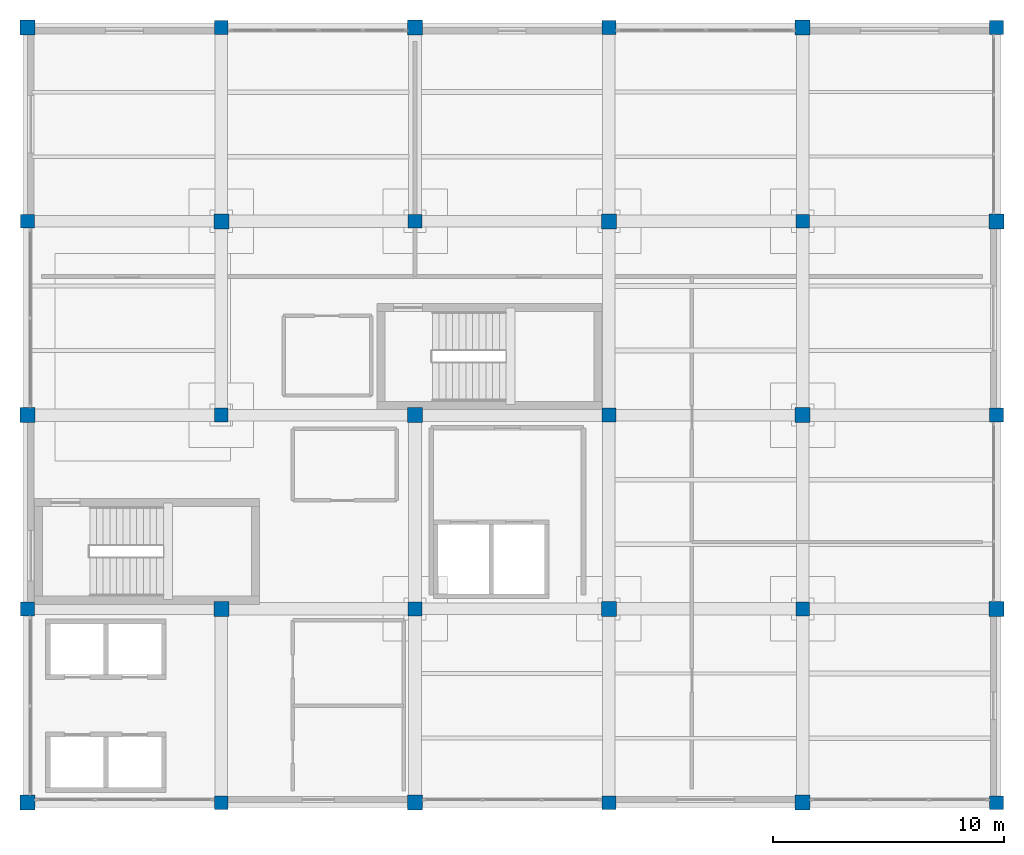
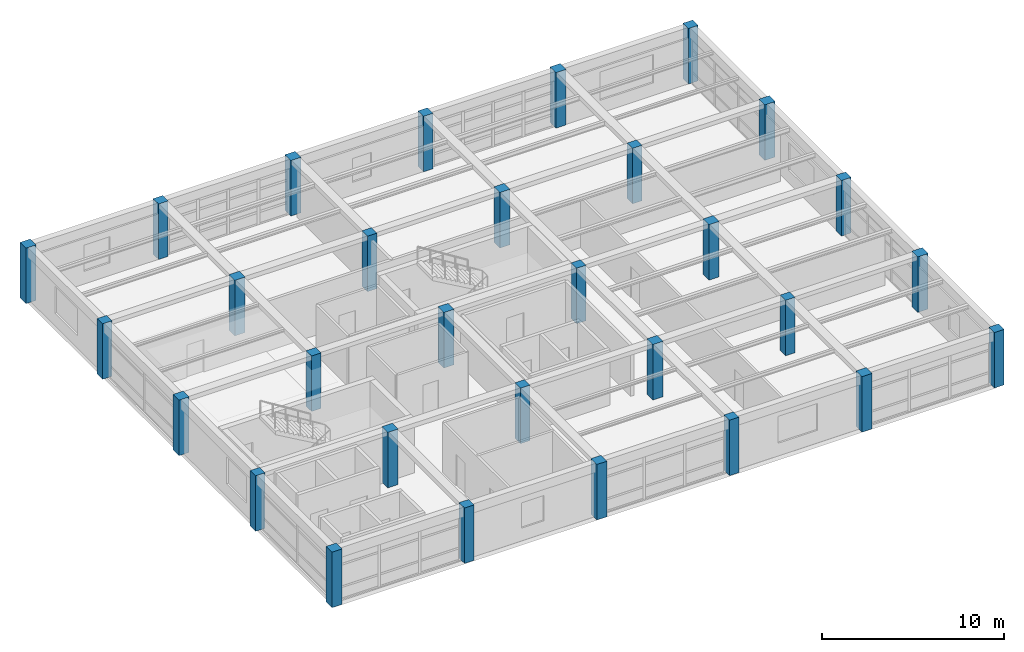
# One storey, part 1 of 25: 30 columns.
"""IFC4 building model written with IfcOpenShell, lengths in metres."""

from ifc_helpers import new_model, si_unit, direction, frame, origin, origin_2d, place, context, subcontext, project, spatial, rectangle, extrude, material, material_profile, profile_set, type_object, element, save


model = new_model("IFC4")

# Units and contexts
model_context = context("Model", 3, precision=1e-05, world=origin(), true_north=direction((0.0, 1.0)))
body_context = subcontext(model_context, "Body", "Model", "MODEL_VIEW")
ifc_project = project(units=[si_unit("LENGTHUNIT", "METRE"), si_unit("AREAUNIT", "SQUARE_METRE"), si_unit("VOLUMEUNIT", "CUBIC_METRE"), si_unit("PLANEANGLEUNIT", "RADIAN"), si_unit("MASSUNIT", "GRAM", prefix="KILO")], contexts=[model_context])

# Site, building, storey
site_placement = place(None, origin())
site = spatial("IfcSite", under=ifc_project, at=site_placement, CompositionType="ELEMENT")
building_placement = place(site_placement, origin())
building = spatial("IfcBuilding", under=site, at=building_placement, Name="Almacenes y Pasaje Nevantli", CompositionType="ELEMENT")
storey_placement = place(building_placement, frame((0.0, 0.0, 50.699951171875)))
storey = spatial("IfcBuildingStorey", under=building, at=storey_placement, Name="L12", CompositionType="ELEMENT", Elevation=50.699951171875)

# Columns
ifc_material_1 = material(Name="Concrete C45/55", Category="concrete")
ifc_material_profile_1 = material_profile(ifc_material_1, rectangle(XDim=0.60009765625, YDim=0.60009765625, at=origin_2d()), Name="RC-COL-600x600")
ifc_profile_set_1 = profile_set([ifc_material_profile_1], Name="Concrete C45/55")
column_type_1 = type_object("IfcColumnType", Name="COL-RC-600", PredefinedType="COLUMN", material=ifc_profile_set_1)
for number, where, z_axis, x_axis, name in (
    (1, (117.60009765625, 75.60009765625, 0.0), (0.0, 0.0, 1.0), (1.0, 0.0, 0.0), "L12 Reinforced Concrete Column CL-08 #2272"),
    (2, (117.60009765625, 92.39990234375, 0.0), (0.0, 0.0, 1.0), (1.0, 0.0, 0.0), "L12 Reinforced Concrete Column CL-08 #2274"),
    (3, (126.0, 67.199951171875, 0.0), (0.0, 0.0, 1.0), (1.0, 0.0, 0.0), "L12 Reinforced Concrete Column CL-08 #2276"),
    (4, (126.0, 84.0, 0.0), (0.0, 0.0, 1.0), (1.0, 0.0, 0.0), "L12 Reinforced Concrete Column CL-08 #2278"),
    (5, (126.0, 100.800048828125, 0.0), (0.0, 0.0, 1.0), (1.0, 0.0, 0.0), "L12 Reinforced Concrete Column CL-08 #2280"),
    (6, (134.39990234375, 75.60009765625, 0.0), (0.0, 0.0, 1.0), (1.0, 0.0, 0.0), "L12 Reinforced Concrete Column CL-08 #2282"),
    (7, (134.39990234375, 92.39990234375, 0.0), (0.0, 0.0, 1.0), (1.0, 0.0, 0.0), "L12 Reinforced Concrete Column CL-08 #2284"),
    (8, (142.800048828125, 67.199951171875, 0.0), (0.0, 0.0, 1.0), (1.0, 0.0, 0.0), "L12 Reinforced Concrete Column CL-08 #2286"),
    (9, (142.800048828125, 84.0, 0.0), (0.0, 0.0, 1.0), (1.0, 0.0, 0.0), "L12 Reinforced Concrete Column CL-08 #2288"),
    (10, (142.800048828125, 100.800048828125, 0.0), (0.0, 0.0, 1.0), (1.0, 0.0, 0.0), "L12 Reinforced Concrete Column CL-08 #2290"),
    (11, (151.199951171875, 75.60009765625, 0.0), (0.0, 0.0, 1.0), (1.0, 0.0, 0.0), "L12 Reinforced Concrete Column CL-08 #2292"),
    (12, (151.199951171875, 92.39990234375, 0.0), (0.0, 0.0, 1.0), (1.0, 0.0, 0.0), "L12 Reinforced Concrete Column CL-08 #2294"),
    (13, (159.60009765625, 67.199951171875, 0.0), (0.0, 0.0, 1.0), (1.0, 0.0, 0.0), "L12 Reinforced Concrete Column CL-08 #2296"),
    (14, (159.60009765625, 84.0, 0.0), (0.0, 0.0, 1.0), (1.0, 0.0, 0.0), "L12 Reinforced Concrete Column CL-08 #2298"),
    (15, (159.60009765625, 100.800048828125, 0.0), (0.0, 0.0, 1.0), (1.0, 0.0, 0.0), "L12 Reinforced Concrete Column CL-08 #2300"),
):
    element("IfcColumn", number, at=place(storey_placement, frame(where, z_axis=z_axis, x_axis=x_axis)), inside=storey, type_object=column_type_1, Name=name, PredefinedType="COLUMN", context=body_context, shape_type="SweptSolid", body=[
        extrude(rectangle(XDim=0.60009765625, YDim=0.60009765625, at=origin_2d()), origin(), (0.0, 0.0, 1.0), 3.719970703125),
    ])
ifc_material_2 = material(Name="Concrete C45/55", Category="concrete")
ifc_material_profile_2 = material_profile(ifc_material_2, rectangle(XDim=0.64990234375, YDim=0.64990234375, at=origin_2d()), Name="RC-COL-650x650")
ifc_profile_set_2 = profile_set([ifc_material_profile_2], Name="Concrete C45/55")
column_type_2 = type_object("IfcColumnType", Name="COL-RC-650", PredefinedType="COLUMN", material=ifc_profile_set_2)
for number, where, z_axis, x_axis, name in (
    (16, (117.60009765625, 67.199951171875, 0.0), (0.0, 0.0, 1.0), (1.0, 0.0, 0.0), "L12 Reinforced Concrete Column CL-07 #2271"),
    (17, (117.60009765625, 84.0, 0.0), (0.0, 0.0, 1.0), (1.0, 0.0, 0.0), "L12 Reinforced Concrete Column CL-07 #2273"),
    (18, (117.60009765625, 100.800048828125, 0.0), (0.0, 0.0, 1.0), (1.0, 0.0, 0.0), "L12 Reinforced Concrete Column CL-07 #2275"),
    (19, (126.0, 75.60009765625, 0.0), (0.0, 0.0, 1.0), (1.0, 0.0, 0.0), "L12 Reinforced Concrete Column CL-07 #2277"),
    (20, (126.0, 92.39990234375, 0.0), (0.0, 0.0, 1.0), (1.0, 0.0, 0.0), "L12 Reinforced Concrete Column CL-07 #2279"),
    (21, (134.39990234375, 67.199951171875, 0.0), (0.0, 0.0, 1.0), (1.0, 0.0, 0.0), "L12 Reinforced Concrete Column CL-07 #2281"),
    (22, (134.39990234375, 84.0, 0.0), (0.0, 0.0, 1.0), (1.0, 0.0, 0.0), "L12 Reinforced Concrete Column CL-07 #2283"),
    (23, (134.39990234375, 100.800048828125, 0.0), (0.0, 0.0, 1.0), (1.0, 0.0, 0.0), "L12 Reinforced Concrete Column CL-07 #2285"),
    (24, (142.800048828125, 75.60009765625, 0.0), (0.0, 0.0, 1.0), (1.0, 0.0, 0.0), "L12 Reinforced Concrete Column CL-07 #2287"),
    (25, (142.800048828125, 92.39990234375, 0.0), (0.0, 0.0, 1.0), (1.0, 0.0, 0.0), "L12 Reinforced Concrete Column CL-07 #2289"),
    (26, (151.199951171875, 67.199951171875, 0.0), (0.0, 0.0, 1.0), (1.0, 0.0, 0.0), "L12 Reinforced Concrete Column CL-07 #2291"),
    (27, (151.199951171875, 84.0, 0.0), (0.0, 0.0, 1.0), (1.0, 0.0, 0.0), "L12 Reinforced Concrete Column CL-07 #2293"),
    (28, (151.199951171875, 100.800048828125, 0.0), (0.0, 0.0, 1.0), (1.0, 0.0, 0.0), "L12 Reinforced Concrete Column CL-07 #2295"),
    (29, (159.60009765625, 75.60009765625, 0.0), (0.0, 0.0, 1.0), (1.0, 0.0, 0.0), "L12 Reinforced Concrete Column CL-07 #2297"),
    (30, (159.60009765625, 92.39990234375, 0.0), (0.0, 0.0, 1.0), (1.0, 0.0, 0.0), "L12 Reinforced Concrete Column CL-07 #2299"),
):
    element("IfcColumn", number, at=place(storey_placement, frame(where, z_axis=z_axis, x_axis=x_axis)), inside=storey, type_object=column_type_2, Name=name, PredefinedType="COLUMN", context=body_context, shape_type="SweptSolid", body=[
        extrude(rectangle(XDim=0.64990234375, YDim=0.64990234375, at=origin_2d()), origin(), (0.0, 0.0, 1.0), 3.719970703125),
    ])

save(model, "model.ifc")
